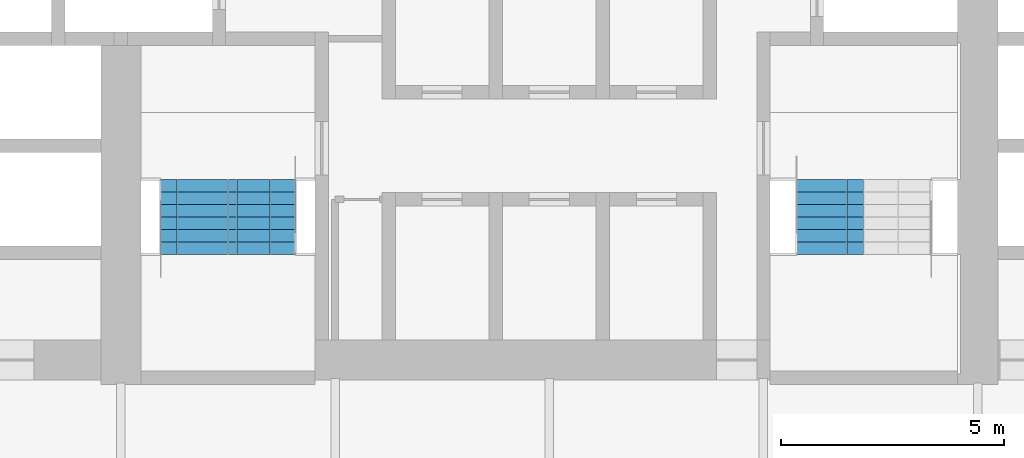
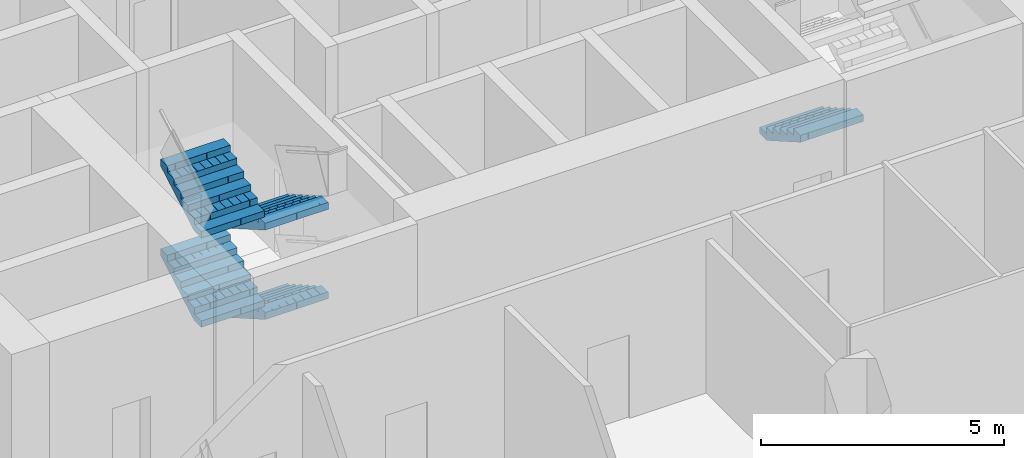
# One storey, part 18 of 24: 5 stair flights, 2 elements without a shape of their own.
"""IFC4 building model written with IfcOpenShell, lengths in metres."""

from ifc_helpers import new_model, si_unit, direction, frame, origin, place, context, subcontext, project, spatial, polyline, outline, extrude, material, type_object, element, aggregate, save


model = new_model("IFC4")

# Units and contexts
model_context = context("Model", 3, precision=1e-05, world=origin(), true_north=direction((0.0, 1.0)))
body_context = subcontext(model_context, "Body", "Model", "MODEL_VIEW")
ifc_project = project(units=[si_unit("LENGTHUNIT", "METRE"), si_unit("AREAUNIT", "SQUARE_METRE"), si_unit("VOLUMEUNIT", "CUBIC_METRE"), si_unit("PLANEANGLEUNIT", "RADIAN"), si_unit("MASSUNIT", "GRAM", prefix="KILO")], contexts=[model_context])

# Site, building, storey
site_placement = place(None, origin())
site = spatial("IfcSite", under=ifc_project, at=site_placement, CompositionType="ELEMENT")
building_placement = place(site_placement, origin())
building = spatial("IfcBuilding", under=site, at=building_placement, Name="Kolab Exchange Tower", CompositionType="ELEMENT")
storey_placement = place(building_placement, frame((0.0, 0.0, 86.89990234375)))
storey = spatial("IfcBuildingStorey", under=building, at=storey_placement, Name="L16", CompositionType="ELEMENT", Elevation=86.89990234375)

# Stair, stair flights
ifc_material = material(Name="Concrete C50/60", Category="concrete")
stair_type_1 = type_object("IfcStairType", Name="STAIR ST3 RISER 160.7", PredefinedType="DOUBLE_RETURN_STAIR", material=ifc_material)
stair_1_placement = place(storey_placement, origin())
stair_1 = element("IfcStair", 1, at=stair_1_placement, inside=storey, type_object=stair_type_1, Name="Stair 3", PredefinedType="DOUBLE_RETURN_STAIR")
stair_flight_type = type_object("IfcStairFlightType", Name="STAIR FLIGHT 1500 RISER 160.7", PredefinedType="STRAIGHT", material=ifc_material)
stair_flight_1_placement = place(storey_placement, frame((-6.43994140625, -5.550048828125, 0.0), z_axis=(0.0, 0.0, 1.0), x_axis=(0.0, -1.0, 0.0)))
stair_flight_1 = element("IfcStairFlight", 2, at=stair_flight_1_placement, type_object=stair_flight_type, Name="ST3 flight 1", NumberOfRisers=7, NumberOfTreads=6, PredefinedType="STRAIGHT", RiserHeight=0.160714286, TreadLength=0.28, context=body_context, shape_type="SweptSolid", body=[
    extrude(outline(polyline([(0.0, 0.0), (0.0, 0.16064453125), (0.280029296875, 0.16064453125), (0.280029296875, 0.321533203125), (0.56005859375, 0.321533203125), (0.56005859375, 0.482177734375), (0.840087890625, 0.482177734375), (0.840087890625, 0.642822265625), (1.1201171875, 0.642822265625), (1.1201171875, 0.803466796875), (1.39990234375, 0.803466796875), (1.39990234375, 0.96435546875), (1.679931640625, 0.96435546875), (1.679931640625, 1.125), (1.679931640625, 0.79150390625), (0.301025390625, 0.0), (0.0, 0.0)])), frame((0.0, 0.75, 0.0), z_axis=(0.0, -1.0, 0.0), x_axis=(1.0, 0.0, 0.0)), (0.0, 0.0, 1.0), 0.185791015625),
    extrude(outline(polyline([(0.0, 0.0), (0.0, 0.16064453125), (0.280029296875, 0.16064453125), (0.280029296875, 0.321533203125), (0.56005859375, 0.321533203125), (0.56005859375, 0.482177734375), (0.840087890625, 0.482177734375), (0.840087890625, 0.642822265625), (1.1201171875, 0.642822265625), (1.1201171875, 0.803466796875), (1.39990234375, 0.803466796875), (1.39990234375, 0.96435546875), (1.679931640625, 0.96435546875), (1.679931640625, 1.125), (1.679931640625, 0.79150390625), (0.301025390625, 0.0), (0.0, 0.0)])), frame((0.0, 0.562255859375, 0.0), z_axis=(0.0, -1.0, 0.0), x_axis=(1.0, 0.0, 0.0)), (0.0, 0.0, 1.0), 0.185791015625),
    extrude(outline(polyline([(0.0, 0.0), (0.0, 0.16064453125), (0.280029296875, 0.16064453125), (0.280029296875, 0.321533203125), (0.56005859375, 0.321533203125), (0.56005859375, 0.482177734375), (0.840087890625, 0.482177734375), (0.840087890625, 0.642822265625), (1.1201171875, 0.642822265625), (1.1201171875, 0.803466796875), (1.39990234375, 0.803466796875), (1.39990234375, 0.96435546875), (1.679931640625, 0.96435546875), (1.679931640625, 1.125), (1.679931640625, 0.79150390625), (0.301025390625, 0.0), (0.0, 0.0)])), frame((0.0, 0.37451171875, 0.0), z_axis=(0.0, -1.0, 0.0), x_axis=(1.0, 0.0, 0.0)), (0.0, 0.0, 1.0), 0.185791015625),
    extrude(outline(polyline([(0.0, 0.0), (0.0, 0.16064453125), (0.280029296875, 0.16064453125), (0.280029296875, 0.321533203125), (0.56005859375, 0.321533203125), (0.56005859375, 0.482177734375), (0.840087890625, 0.482177734375), (0.840087890625, 0.642822265625), (1.1201171875, 0.642822265625), (1.1201171875, 0.803466796875), (1.39990234375, 0.803466796875), (1.39990234375, 0.96435546875), (1.679931640625, 0.96435546875), (1.679931640625, 1.125), (1.679931640625, 0.79150390625), (0.301025390625, 0.0), (0.0, 0.0)])), frame((0.0, 0.186767578125, 0.0), z_axis=(0.0, -1.0, 0.0), x_axis=(1.0, 0.0, 0.0)), (0.0, 0.0, 1.0), 0.185791015625),
    extrude(outline(polyline([(0.0, 0.0), (0.0, 0.16064453125), (0.280029296875, 0.16064453125), (0.280029296875, 0.321533203125), (0.56005859375, 0.321533203125), (0.56005859375, 0.482177734375), (0.840087890625, 0.482177734375), (0.840087890625, 0.642822265625), (1.1201171875, 0.642822265625), (1.1201171875, 0.803466796875), (1.39990234375, 0.803466796875), (1.39990234375, 0.96435546875), (1.679931640625, 0.96435546875), (1.679931640625, 1.125), (1.679931640625, 0.79150390625), (0.301025390625, 0.0), (0.0, 0.0)])), frame((0.0, -0.0009765625, 0.0), z_axis=(0.0, -1.0, 0.0), x_axis=(1.0, 0.0, 0.0)), (0.0, 0.0, 1.0), 0.185791015625),
    extrude(outline(polyline([(0.0, 0.0), (0.0, 0.16064453125), (0.280029296875, 0.16064453125), (0.280029296875, 0.321533203125), (0.56005859375, 0.321533203125), (0.56005859375, 0.482177734375), (0.840087890625, 0.482177734375), (0.840087890625, 0.642822265625), (1.1201171875, 0.642822265625), (1.1201171875, 0.803466796875), (1.39990234375, 0.803466796875), (1.39990234375, 0.96435546875), (1.679931640625, 0.96435546875), (1.679931640625, 1.125), (1.679931640625, 0.79150390625), (0.301025390625, 0.0), (0.0, 0.0)])), frame((0.0, -0.188720703125, 0.0), z_axis=(0.0, -1.0, 0.0), x_axis=(1.0, 0.0, 0.0)), (0.0, 0.0, 1.0), 0.185791015625),
    extrude(outline(polyline([(0.0, 0.0), (0.0, 0.16064453125), (0.280029296875, 0.16064453125), (0.280029296875, 0.321533203125), (0.56005859375, 0.321533203125), (0.56005859375, 0.482177734375), (0.840087890625, 0.482177734375), (0.840087890625, 0.642822265625), (1.1201171875, 0.642822265625), (1.1201171875, 0.803466796875), (1.39990234375, 0.803466796875), (1.39990234375, 0.96435546875), (1.679931640625, 0.96435546875), (1.679931640625, 1.125), (1.679931640625, 0.79150390625), (0.301025390625, 0.0), (0.0, 0.0)])), frame((0.0, -0.37646484375, 0.0), z_axis=(0.0, -1.0, 0.0), x_axis=(1.0, 0.0, 0.0)), (0.0, 0.0, 1.0), 0.185791015625),
    extrude(outline(polyline([(0.0, 0.0), (0.0, 0.16064453125), (0.280029296875, 0.16064453125), (0.280029296875, 0.321533203125), (0.56005859375, 0.321533203125), (0.56005859375, 0.482177734375), (0.840087890625, 0.482177734375), (0.840087890625, 0.642822265625), (1.1201171875, 0.642822265625), (1.1201171875, 0.803466796875), (1.39990234375, 0.803466796875), (1.39990234375, 0.96435546875), (1.679931640625, 0.96435546875), (1.679931640625, 1.125), (1.679931640625, 0.79150390625), (0.301025390625, 0.0), (0.0, 0.0)])), frame((0.0, -0.564208984375, 0.0), z_axis=(0.0, -1.0, 0.0), x_axis=(1.0, 0.0, 0.0)), (0.0, 0.0, 1.0), 0.185791015625),
])
stair_flight_2_placement = place(storey_placement, frame((-7.9599609375, -7.22998046875, 1.125), z_axis=(0.0, 0.0, 1.0), x_axis=(0.0, 1.0, 0.0)))
stair_flight_2 = element("IfcStairFlight", 3, at=stair_flight_2_placement, type_object=stair_flight_type, Name="ST3 flight 2", NumberOfRisers=7, NumberOfTreads=6, PredefinedType="STRAIGHT", RiserHeight=0.160714286, TreadLength=0.28, context=body_context, shape_type="SweptSolid", body=[
    extrude(outline(polyline([(0.0, 0.0), (0.0, 0.16064453125), (0.280029296875, 0.16064453125), (0.280029296875, 0.321533203125), (0.56005859375, 0.321533203125), (0.56005859375, 0.482177734375), (0.840087890625, 0.482177734375), (0.840087890625, 0.642822265625), (1.1201171875, 0.642822265625), (1.1201171875, 0.803466796875), (1.39990234375, 0.803466796875), (1.39990234375, 0.96435546875), (1.679931640625, 0.96435546875), (1.679931640625, 1.125), (1.679931640625, 0.79150390625), (0.301025390625, 0.0), (0.0, 0.0)])), frame((0.0, 0.75, 0.0), z_axis=(0.0, -1.0, 0.0), x_axis=(1.0, 0.0, 0.0)), (0.0, 0.0, 1.0), 0.185791015625),
    extrude(outline(polyline([(0.0, 0.0), (0.0, 0.16064453125), (0.280029296875, 0.16064453125), (0.280029296875, 0.321533203125), (0.56005859375, 0.321533203125), (0.56005859375, 0.482177734375), (0.840087890625, 0.482177734375), (0.840087890625, 0.642822265625), (1.1201171875, 0.642822265625), (1.1201171875, 0.803466796875), (1.39990234375, 0.803466796875), (1.39990234375, 0.96435546875), (1.679931640625, 0.96435546875), (1.679931640625, 1.125), (1.679931640625, 0.79150390625), (0.301025390625, 0.0), (0.0, 0.0)])), frame((0.0, 0.562255859375, 0.0), z_axis=(0.0, -1.0, 0.0), x_axis=(1.0, 0.0, 0.0)), (0.0, 0.0, 1.0), 0.185791015625),
    extrude(outline(polyline([(0.0, 0.0), (0.0, 0.16064453125), (0.280029296875, 0.16064453125), (0.280029296875, 0.321533203125), (0.56005859375, 0.321533203125), (0.56005859375, 0.482177734375), (0.840087890625, 0.482177734375), (0.840087890625, 0.642822265625), (1.1201171875, 0.642822265625), (1.1201171875, 0.803466796875), (1.39990234375, 0.803466796875), (1.39990234375, 0.96435546875), (1.679931640625, 0.96435546875), (1.679931640625, 1.125), (1.679931640625, 0.79150390625), (0.301025390625, 0.0), (0.0, 0.0)])), frame((0.0, 0.37451171875, 0.0), z_axis=(0.0, -1.0, 0.0), x_axis=(1.0, 0.0, 0.0)), (0.0, 0.0, 1.0), 0.185791015625),
    extrude(outline(polyline([(0.0, 0.0), (0.0, 0.16064453125), (0.280029296875, 0.16064453125), (0.280029296875, 0.321533203125), (0.56005859375, 0.321533203125), (0.56005859375, 0.482177734375), (0.840087890625, 0.482177734375), (0.840087890625, 0.642822265625), (1.1201171875, 0.642822265625), (1.1201171875, 0.803466796875), (1.39990234375, 0.803466796875), (1.39990234375, 0.96435546875), (1.679931640625, 0.96435546875), (1.679931640625, 1.125), (1.679931640625, 0.79150390625), (0.301025390625, 0.0), (0.0, 0.0)])), frame((0.0, 0.186767578125, 0.0), z_axis=(0.0, -1.0, 0.0), x_axis=(1.0, 0.0, 0.0)), (0.0, 0.0, 1.0), 0.185791015625),
    extrude(outline(polyline([(0.0, 0.0), (0.0, 0.16064453125), (0.280029296875, 0.16064453125), (0.280029296875, 0.321533203125), (0.56005859375, 0.321533203125), (0.56005859375, 0.482177734375), (0.840087890625, 0.482177734375), (0.840087890625, 0.642822265625), (1.1201171875, 0.642822265625), (1.1201171875, 0.803466796875), (1.39990234375, 0.803466796875), (1.39990234375, 0.96435546875), (1.679931640625, 0.96435546875), (1.679931640625, 1.125), (1.679931640625, 0.79150390625), (0.301025390625, 0.0), (0.0, 0.0)])), frame((0.0, -0.0009765625, 0.0), z_axis=(0.0, -1.0, 0.0), x_axis=(1.0, 0.0, 0.0)), (0.0, 0.0, 1.0), 0.185791015625),
    extrude(outline(polyline([(0.0, 0.0), (0.0, 0.16064453125), (0.280029296875, 0.16064453125), (0.280029296875, 0.321533203125), (0.56005859375, 0.321533203125), (0.56005859375, 0.482177734375), (0.840087890625, 0.482177734375), (0.840087890625, 0.642822265625), (1.1201171875, 0.642822265625), (1.1201171875, 0.803466796875), (1.39990234375, 0.803466796875), (1.39990234375, 0.96435546875), (1.679931640625, 0.96435546875), (1.679931640625, 1.125), (1.679931640625, 0.79150390625), (0.301025390625, 0.0), (0.0, 0.0)])), frame((0.0, -0.188720703125, 0.0), z_axis=(0.0, -1.0, 0.0), x_axis=(1.0, 0.0, 0.0)), (0.0, 0.0, 1.0), 0.185791015625),
    extrude(outline(polyline([(0.0, 0.0), (0.0, 0.16064453125), (0.280029296875, 0.16064453125), (0.280029296875, 0.321533203125), (0.56005859375, 0.321533203125), (0.56005859375, 0.482177734375), (0.840087890625, 0.482177734375), (0.840087890625, 0.642822265625), (1.1201171875, 0.642822265625), (1.1201171875, 0.803466796875), (1.39990234375, 0.803466796875), (1.39990234375, 0.96435546875), (1.679931640625, 0.96435546875), (1.679931640625, 1.125), (1.679931640625, 0.79150390625), (0.301025390625, 0.0), (0.0, 0.0)])), frame((0.0, -0.37646484375, 0.0), z_axis=(0.0, -1.0, 0.0), x_axis=(1.0, 0.0, 0.0)), (0.0, 0.0, 1.0), 0.185791015625),
    extrude(outline(polyline([(0.0, 0.0), (0.0, 0.16064453125), (0.280029296875, 0.16064453125), (0.280029296875, 0.321533203125), (0.56005859375, 0.321533203125), (0.56005859375, 0.482177734375), (0.840087890625, 0.482177734375), (0.840087890625, 0.642822265625), (1.1201171875, 0.642822265625), (1.1201171875, 0.803466796875), (1.39990234375, 0.803466796875), (1.39990234375, 0.96435546875), (1.679931640625, 0.96435546875), (1.679931640625, 1.125), (1.679931640625, 0.79150390625), (0.301025390625, 0.0), (0.0, 0.0)])), frame((0.0, -0.564208984375, 0.0), z_axis=(0.0, -1.0, 0.0), x_axis=(1.0, 0.0, 0.0)), (0.0, 0.0, 1.0), 0.185791015625),
])
stair_flight_3_placement = place(storey_placement, frame((-6.43994140625, -5.550048828125, 2.25), z_axis=(0.0, 0.0, 1.0), x_axis=(0.0, -1.0, 0.0)))
stair_flight_3 = element("IfcStairFlight", 4, at=stair_flight_3_placement, type_object=stair_flight_type, Name="ST3 flight 3", NumberOfRisers=7, NumberOfTreads=6, PredefinedType="STRAIGHT", RiserHeight=0.160714286, TreadLength=0.28, context=body_context, shape_type="SweptSolid", body=[
    extrude(outline(polyline([(0.0, 0.0), (0.0, 0.16064453125), (0.280029296875, 0.16064453125), (0.280029296875, 0.321533203125), (0.56005859375, 0.321533203125), (0.56005859375, 0.482177734375), (0.840087890625, 0.482177734375), (0.840087890625, 0.642822265625), (1.1201171875, 0.642822265625), (1.1201171875, 0.803466796875), (1.39990234375, 0.803466796875), (1.39990234375, 0.96435546875), (1.679931640625, 0.96435546875), (1.679931640625, 1.125), (1.679931640625, 0.79150390625), (0.301025390625, 0.0), (0.0, 0.0)])), frame((0.0, 0.75, 0.0), z_axis=(0.0, -1.0, 0.0), x_axis=(1.0, 0.0, 0.0)), (0.0, 0.0, 1.0), 0.185791015625),
    extrude(outline(polyline([(0.0, 0.0), (0.0, 0.16064453125), (0.280029296875, 0.16064453125), (0.280029296875, 0.321533203125), (0.56005859375, 0.321533203125), (0.56005859375, 0.482177734375), (0.840087890625, 0.482177734375), (0.840087890625, 0.642822265625), (1.1201171875, 0.642822265625), (1.1201171875, 0.803466796875), (1.39990234375, 0.803466796875), (1.39990234375, 0.96435546875), (1.679931640625, 0.96435546875), (1.679931640625, 1.125), (1.679931640625, 0.79150390625), (0.301025390625, 0.0), (0.0, 0.0)])), frame((0.0, 0.562255859375, 0.0), z_axis=(0.0, -1.0, 0.0), x_axis=(1.0, 0.0, 0.0)), (0.0, 0.0, 1.0), 0.185791015625),
    extrude(outline(polyline([(0.0, 0.0), (0.0, 0.16064453125), (0.280029296875, 0.16064453125), (0.280029296875, 0.321533203125), (0.56005859375, 0.321533203125), (0.56005859375, 0.482177734375), (0.840087890625, 0.482177734375), (0.840087890625, 0.642822265625), (1.1201171875, 0.642822265625), (1.1201171875, 0.803466796875), (1.39990234375, 0.803466796875), (1.39990234375, 0.96435546875), (1.679931640625, 0.96435546875), (1.679931640625, 1.125), (1.679931640625, 0.79150390625), (0.301025390625, 0.0), (0.0, 0.0)])), frame((0.0, 0.37451171875, 0.0), z_axis=(0.0, -1.0, 0.0), x_axis=(1.0, 0.0, 0.0)), (0.0, 0.0, 1.0), 0.185791015625),
    extrude(outline(polyline([(0.0, 0.0), (0.0, 0.16064453125), (0.280029296875, 0.16064453125), (0.280029296875, 0.321533203125), (0.56005859375, 0.321533203125), (0.56005859375, 0.482177734375), (0.840087890625, 0.482177734375), (0.840087890625, 0.642822265625), (1.1201171875, 0.642822265625), (1.1201171875, 0.803466796875), (1.39990234375, 0.803466796875), (1.39990234375, 0.96435546875), (1.679931640625, 0.96435546875), (1.679931640625, 1.125), (1.679931640625, 0.79150390625), (0.301025390625, 0.0), (0.0, 0.0)])), frame((0.0, 0.186767578125, 0.0), z_axis=(0.0, -1.0, 0.0), x_axis=(1.0, 0.0, 0.0)), (0.0, 0.0, 1.0), 0.185791015625),
    extrude(outline(polyline([(0.0, 0.0), (0.0, 0.16064453125), (0.280029296875, 0.16064453125), (0.280029296875, 0.321533203125), (0.56005859375, 0.321533203125), (0.56005859375, 0.482177734375), (0.840087890625, 0.482177734375), (0.840087890625, 0.642822265625), (1.1201171875, 0.642822265625), (1.1201171875, 0.803466796875), (1.39990234375, 0.803466796875), (1.39990234375, 0.96435546875), (1.679931640625, 0.96435546875), (1.679931640625, 1.125), (1.679931640625, 0.79150390625), (0.301025390625, 0.0), (0.0, 0.0)])), frame((0.0, -0.0009765625, 0.0), z_axis=(0.0, -1.0, 0.0), x_axis=(1.0, 0.0, 0.0)), (0.0, 0.0, 1.0), 0.185791015625),
    extrude(outline(polyline([(0.0, 0.0), (0.0, 0.16064453125), (0.280029296875, 0.16064453125), (0.280029296875, 0.321533203125), (0.56005859375, 0.321533203125), (0.56005859375, 0.482177734375), (0.840087890625, 0.482177734375), (0.840087890625, 0.642822265625), (1.1201171875, 0.642822265625), (1.1201171875, 0.803466796875), (1.39990234375, 0.803466796875), (1.39990234375, 0.96435546875), (1.679931640625, 0.96435546875), (1.679931640625, 1.125), (1.679931640625, 0.79150390625), (0.301025390625, 0.0), (0.0, 0.0)])), frame((0.0, -0.188720703125, 0.0), z_axis=(0.0, -1.0, 0.0), x_axis=(1.0, 0.0, 0.0)), (0.0, 0.0, 1.0), 0.185791015625),
    extrude(outline(polyline([(0.0, 0.0), (0.0, 0.16064453125), (0.280029296875, 0.16064453125), (0.280029296875, 0.321533203125), (0.56005859375, 0.321533203125), (0.56005859375, 0.482177734375), (0.840087890625, 0.482177734375), (0.840087890625, 0.642822265625), (1.1201171875, 0.642822265625), (1.1201171875, 0.803466796875), (1.39990234375, 0.803466796875), (1.39990234375, 0.96435546875), (1.679931640625, 0.96435546875), (1.679931640625, 1.125), (1.679931640625, 0.79150390625), (0.301025390625, 0.0), (0.0, 0.0)])), frame((0.0, -0.37646484375, 0.0), z_axis=(0.0, -1.0, 0.0), x_axis=(1.0, 0.0, 0.0)), (0.0, 0.0, 1.0), 0.185791015625),
    extrude(outline(polyline([(0.0, 0.0), (0.0, 0.16064453125), (0.280029296875, 0.16064453125), (0.280029296875, 0.321533203125), (0.56005859375, 0.321533203125), (0.56005859375, 0.482177734375), (0.840087890625, 0.482177734375), (0.840087890625, 0.642822265625), (1.1201171875, 0.642822265625), (1.1201171875, 0.803466796875), (1.39990234375, 0.803466796875), (1.39990234375, 0.96435546875), (1.679931640625, 0.96435546875), (1.679931640625, 1.125), (1.679931640625, 0.79150390625), (0.301025390625, 0.0), (0.0, 0.0)])), frame((0.0, -0.564208984375, 0.0), z_axis=(0.0, -1.0, 0.0), x_axis=(1.0, 0.0, 0.0)), (0.0, 0.0, 1.0), 0.185791015625),
])
stair_flight_4_placement = place(storey_placement, frame((-7.9599609375, -7.22998046875, 3.375), z_axis=(0.0, 0.0, 1.0), x_axis=(0.0, 1.0, 0.0)))
stair_flight_4 = element("IfcStairFlight", 5, at=stair_flight_4_placement, type_object=stair_flight_type, Name="ST3 flight 4", NumberOfRisers=7, NumberOfTreads=6, PredefinedType="STRAIGHT", RiserHeight=0.160714286, TreadLength=0.28, context=body_context, shape_type="SweptSolid", body=[
    extrude(outline(polyline([(0.0, 0.0), (0.0, 0.16064453125), (0.280029296875, 0.16064453125), (0.280029296875, 0.321533203125), (0.56005859375, 0.321533203125), (0.56005859375, 0.482177734375), (0.840087890625, 0.482177734375), (0.840087890625, 0.642822265625), (1.1201171875, 0.642822265625), (1.1201171875, 0.803466796875), (1.39990234375, 0.803466796875), (1.39990234375, 0.96435546875), (1.679931640625, 0.96435546875), (1.679931640625, 1.125), (1.679931640625, 0.79150390625), (0.301025390625, 0.0), (0.0, 0.0)])), frame((0.0, 0.75, 0.0), z_axis=(0.0, -1.0, 0.0), x_axis=(1.0, 0.0, 0.0)), (0.0, 0.0, 1.0), 0.185791015625),
    extrude(outline(polyline([(0.0, 0.0), (0.0, 0.16064453125), (0.280029296875, 0.16064453125), (0.280029296875, 0.321533203125), (0.56005859375, 0.321533203125), (0.56005859375, 0.482177734375), (0.840087890625, 0.482177734375), (0.840087890625, 0.642822265625), (1.1201171875, 0.642822265625), (1.1201171875, 0.803466796875), (1.39990234375, 0.803466796875), (1.39990234375, 0.96435546875), (1.679931640625, 0.96435546875), (1.679931640625, 1.125), (1.679931640625, 0.79150390625), (0.301025390625, 0.0), (0.0, 0.0)])), frame((0.0, 0.562255859375, 0.0), z_axis=(0.0, -1.0, 0.0), x_axis=(1.0, 0.0, 0.0)), (0.0, 0.0, 1.0), 0.185791015625),
    extrude(outline(polyline([(0.0, 0.0), (0.0, 0.16064453125), (0.280029296875, 0.16064453125), (0.280029296875, 0.321533203125), (0.56005859375, 0.321533203125), (0.56005859375, 0.482177734375), (0.840087890625, 0.482177734375), (0.840087890625, 0.642822265625), (1.1201171875, 0.642822265625), (1.1201171875, 0.803466796875), (1.39990234375, 0.803466796875), (1.39990234375, 0.96435546875), (1.679931640625, 0.96435546875), (1.679931640625, 1.125), (1.679931640625, 0.79150390625), (0.301025390625, 0.0), (0.0, 0.0)])), frame((0.0, 0.37451171875, 0.0), z_axis=(0.0, -1.0, 0.0), x_axis=(1.0, 0.0, 0.0)), (0.0, 0.0, 1.0), 0.185791015625),
    extrude(outline(polyline([(0.0, 0.0), (0.0, 0.16064453125), (0.280029296875, 0.16064453125), (0.280029296875, 0.321533203125), (0.56005859375, 0.321533203125), (0.56005859375, 0.482177734375), (0.840087890625, 0.482177734375), (0.840087890625, 0.642822265625), (1.1201171875, 0.642822265625), (1.1201171875, 0.803466796875), (1.39990234375, 0.803466796875), (1.39990234375, 0.96435546875), (1.679931640625, 0.96435546875), (1.679931640625, 1.125), (1.679931640625, 0.79150390625), (0.301025390625, 0.0), (0.0, 0.0)])), frame((0.0, 0.186767578125, 0.0), z_axis=(0.0, -1.0, 0.0), x_axis=(1.0, 0.0, 0.0)), (0.0, 0.0, 1.0), 0.185791015625),
    extrude(outline(polyline([(0.0, 0.0), (0.0, 0.16064453125), (0.280029296875, 0.16064453125), (0.280029296875, 0.321533203125), (0.56005859375, 0.321533203125), (0.56005859375, 0.482177734375), (0.840087890625, 0.482177734375), (0.840087890625, 0.642822265625), (1.1201171875, 0.642822265625), (1.1201171875, 0.803466796875), (1.39990234375, 0.803466796875), (1.39990234375, 0.96435546875), (1.679931640625, 0.96435546875), (1.679931640625, 1.125), (1.679931640625, 0.79150390625), (0.301025390625, 0.0), (0.0, 0.0)])), frame((0.0, -0.0009765625, 0.0), z_axis=(0.0, -1.0, 0.0), x_axis=(1.0, 0.0, 0.0)), (0.0, 0.0, 1.0), 0.185791015625),
    extrude(outline(polyline([(0.0, 0.0), (0.0, 0.16064453125), (0.280029296875, 0.16064453125), (0.280029296875, 0.321533203125), (0.56005859375, 0.321533203125), (0.56005859375, 0.482177734375), (0.840087890625, 0.482177734375), (0.840087890625, 0.642822265625), (1.1201171875, 0.642822265625), (1.1201171875, 0.803466796875), (1.39990234375, 0.803466796875), (1.39990234375, 0.96435546875), (1.679931640625, 0.96435546875), (1.679931640625, 1.125), (1.679931640625, 0.79150390625), (0.301025390625, 0.0), (0.0, 0.0)])), frame((0.0, -0.188720703125, 0.0), z_axis=(0.0, -1.0, 0.0), x_axis=(1.0, 0.0, 0.0)), (0.0, 0.0, 1.0), 0.185791015625),
    extrude(outline(polyline([(0.0, 0.0), (0.0, 0.16064453125), (0.280029296875, 0.16064453125), (0.280029296875, 0.321533203125), (0.56005859375, 0.321533203125), (0.56005859375, 0.482177734375), (0.840087890625, 0.482177734375), (0.840087890625, 0.642822265625), (1.1201171875, 0.642822265625), (1.1201171875, 0.803466796875), (1.39990234375, 0.803466796875), (1.39990234375, 0.96435546875), (1.679931640625, 0.96435546875), (1.679931640625, 1.125), (1.679931640625, 0.79150390625), (0.301025390625, 0.0), (0.0, 0.0)])), frame((0.0, -0.37646484375, 0.0), z_axis=(0.0, -1.0, 0.0), x_axis=(1.0, 0.0, 0.0)), (0.0, 0.0, 1.0), 0.185791015625),
    extrude(outline(polyline([(0.0, 0.0), (0.0, 0.16064453125), (0.280029296875, 0.16064453125), (0.280029296875, 0.321533203125), (0.56005859375, 0.321533203125), (0.56005859375, 0.482177734375), (0.840087890625, 0.482177734375), (0.840087890625, 0.642822265625), (1.1201171875, 0.642822265625), (1.1201171875, 0.803466796875), (1.39990234375, 0.803466796875), (1.39990234375, 0.96435546875), (1.679931640625, 0.96435546875), (1.679931640625, 1.125), (1.679931640625, 0.79150390625), (0.301025390625, 0.0), (0.0, 0.0)])), frame((0.0, -0.564208984375, 0.0), z_axis=(0.0, -1.0, 0.0), x_axis=(1.0, 0.0, 0.0)), (0.0, 0.0, 1.0), 0.185791015625),
])
aggregate(stair_1, [stair_flight_1, stair_flight_2, stair_flight_3, stair_flight_4])

# Stair, stair flight
stair_type_2 = type_object("IfcStairType", Name="STAIR ST2 RISER 160.7", PredefinedType="DOUBLE_RETURN_STAIR", material=ifc_material)
stair_2_placement = place(storey_placement, origin())
stair_2 = element("IfcStair", 6, at=stair_2_placement, inside=storey, type_object=stair_type_2, Name="Stair 2", PredefinedType="DOUBLE_RETURN_STAIR")
stair_flight_5_placement = place(storey_placement, frame((6.2900390625, -5.550048828125, 0.0), z_axis=(0.0, 0.0, 1.0), x_axis=(0.0, -1.0, 0.0)))
stair_flight_5 = element("IfcStairFlight", 7, at=stair_flight_5_placement, type_object=stair_flight_type, Name="ST2 flight 1", NumberOfRisers=7, NumberOfTreads=6, PredefinedType="STRAIGHT", RiserHeight=0.160714286, TreadLength=0.28, context=body_context, shape_type="SweptSolid", body=[
    extrude(outline(polyline([(0.0, 0.0), (0.0, 0.16064453125), (0.280029296875, 0.16064453125), (0.280029296875, 0.321533203125), (0.56005859375, 0.321533203125), (0.56005859375, 0.482177734375), (0.840087890625, 0.482177734375), (0.840087890625, 0.642822265625), (1.1201171875, 0.642822265625), (1.1201171875, 0.803466796875), (1.39990234375, 0.803466796875), (1.39990234375, 0.96435546875), (1.679931640625, 0.96435546875), (1.679931640625, 1.125), (1.679931640625, 0.79150390625), (0.301025390625, 0.0), (0.0, 0.0)])), frame((0.0, 0.75, 0.0), z_axis=(0.0, -1.0, 0.0), x_axis=(1.0, 0.0, 0.0)), (0.0, 0.0, 1.0), 0.185791015625),
    extrude(outline(polyline([(0.0, 0.0), (0.0, 0.16064453125), (0.280029296875, 0.16064453125), (0.280029296875, 0.321533203125), (0.56005859375, 0.321533203125), (0.56005859375, 0.482177734375), (0.840087890625, 0.482177734375), (0.840087890625, 0.642822265625), (1.1201171875, 0.642822265625), (1.1201171875, 0.803466796875), (1.39990234375, 0.803466796875), (1.39990234375, 0.96435546875), (1.679931640625, 0.96435546875), (1.679931640625, 1.125), (1.679931640625, 0.79150390625), (0.301025390625, 0.0), (0.0, 0.0)])), frame((0.0, 0.562255859375, 0.0), z_axis=(0.0, -1.0, 0.0), x_axis=(1.0, 0.0, 0.0)), (0.0, 0.0, 1.0), 0.185791015625),
    extrude(outline(polyline([(0.0, 0.0), (0.0, 0.16064453125), (0.280029296875, 0.16064453125), (0.280029296875, 0.321533203125), (0.56005859375, 0.321533203125), (0.56005859375, 0.482177734375), (0.840087890625, 0.482177734375), (0.840087890625, 0.642822265625), (1.1201171875, 0.642822265625), (1.1201171875, 0.803466796875), (1.39990234375, 0.803466796875), (1.39990234375, 0.96435546875), (1.679931640625, 0.96435546875), (1.679931640625, 1.125), (1.679931640625, 0.79150390625), (0.301025390625, 0.0), (0.0, 0.0)])), frame((0.0, 0.37451171875, 0.0), z_axis=(0.0, -1.0, 0.0), x_axis=(1.0, 0.0, 0.0)), (0.0, 0.0, 1.0), 0.185791015625),
    extrude(outline(polyline([(0.0, 0.0), (0.0, 0.16064453125), (0.280029296875, 0.16064453125), (0.280029296875, 0.321533203125), (0.56005859375, 0.321533203125), (0.56005859375, 0.482177734375), (0.840087890625, 0.482177734375), (0.840087890625, 0.642822265625), (1.1201171875, 0.642822265625), (1.1201171875, 0.803466796875), (1.39990234375, 0.803466796875), (1.39990234375, 0.96435546875), (1.679931640625, 0.96435546875), (1.679931640625, 1.125), (1.679931640625, 0.79150390625), (0.301025390625, 0.0), (0.0, 0.0)])), frame((0.0, 0.186767578125, 0.0), z_axis=(0.0, -1.0, 0.0), x_axis=(1.0, 0.0, 0.0)), (0.0, 0.0, 1.0), 0.185791015625),
    extrude(outline(polyline([(0.0, 0.0), (0.0, 0.16064453125), (0.280029296875, 0.16064453125), (0.280029296875, 0.321533203125), (0.56005859375, 0.321533203125), (0.56005859375, 0.482177734375), (0.840087890625, 0.482177734375), (0.840087890625, 0.642822265625), (1.1201171875, 0.642822265625), (1.1201171875, 0.803466796875), (1.39990234375, 0.803466796875), (1.39990234375, 0.96435546875), (1.679931640625, 0.96435546875), (1.679931640625, 1.125), (1.679931640625, 0.79150390625), (0.301025390625, 0.0), (0.0, 0.0)])), frame((0.0, -0.0009765625, 0.0), z_axis=(0.0, -1.0, 0.0), x_axis=(1.0, 0.0, 0.0)), (0.0, 0.0, 1.0), 0.185791015625),
    extrude(outline(polyline([(0.0, 0.0), (0.0, 0.16064453125), (0.280029296875, 0.16064453125), (0.280029296875, 0.321533203125), (0.56005859375, 0.321533203125), (0.56005859375, 0.482177734375), (0.840087890625, 0.482177734375), (0.840087890625, 0.642822265625), (1.1201171875, 0.642822265625), (1.1201171875, 0.803466796875), (1.39990234375, 0.803466796875), (1.39990234375, 0.96435546875), (1.679931640625, 0.96435546875), (1.679931640625, 1.125), (1.679931640625, 0.79150390625), (0.301025390625, 0.0), (0.0, 0.0)])), frame((0.0, -0.188720703125, 0.0), z_axis=(0.0, -1.0, 0.0), x_axis=(1.0, 0.0, 0.0)), (0.0, 0.0, 1.0), 0.185791015625),
    extrude(outline(polyline([(0.0, 0.0), (0.0, 0.16064453125), (0.280029296875, 0.16064453125), (0.280029296875, 0.321533203125), (0.56005859375, 0.321533203125), (0.56005859375, 0.482177734375), (0.840087890625, 0.482177734375), (0.840087890625, 0.642822265625), (1.1201171875, 0.642822265625), (1.1201171875, 0.803466796875), (1.39990234375, 0.803466796875), (1.39990234375, 0.96435546875), (1.679931640625, 0.96435546875), (1.679931640625, 1.125), (1.679931640625, 0.79150390625), (0.301025390625, 0.0), (0.0, 0.0)])), frame((0.0, -0.37646484375, 0.0), z_axis=(0.0, -1.0, 0.0), x_axis=(1.0, 0.0, 0.0)), (0.0, 0.0, 1.0), 0.185791015625),
    extrude(outline(polyline([(0.0, 0.0), (0.0, 0.16064453125), (0.280029296875, 0.16064453125), (0.280029296875, 0.321533203125), (0.56005859375, 0.321533203125), (0.56005859375, 0.482177734375), (0.840087890625, 0.482177734375), (0.840087890625, 0.642822265625), (1.1201171875, 0.642822265625), (1.1201171875, 0.803466796875), (1.39990234375, 0.803466796875), (1.39990234375, 0.96435546875), (1.679931640625, 0.96435546875), (1.679931640625, 1.125), (1.679931640625, 0.79150390625), (0.301025390625, 0.0), (0.0, 0.0)])), frame((0.0, -0.564208984375, 0.0), z_axis=(0.0, -1.0, 0.0), x_axis=(1.0, 0.0, 0.0)), (0.0, 0.0, 1.0), 0.185791015625),
])
aggregate(stair_2, [stair_flight_5])

save(model, "model.ifc")
